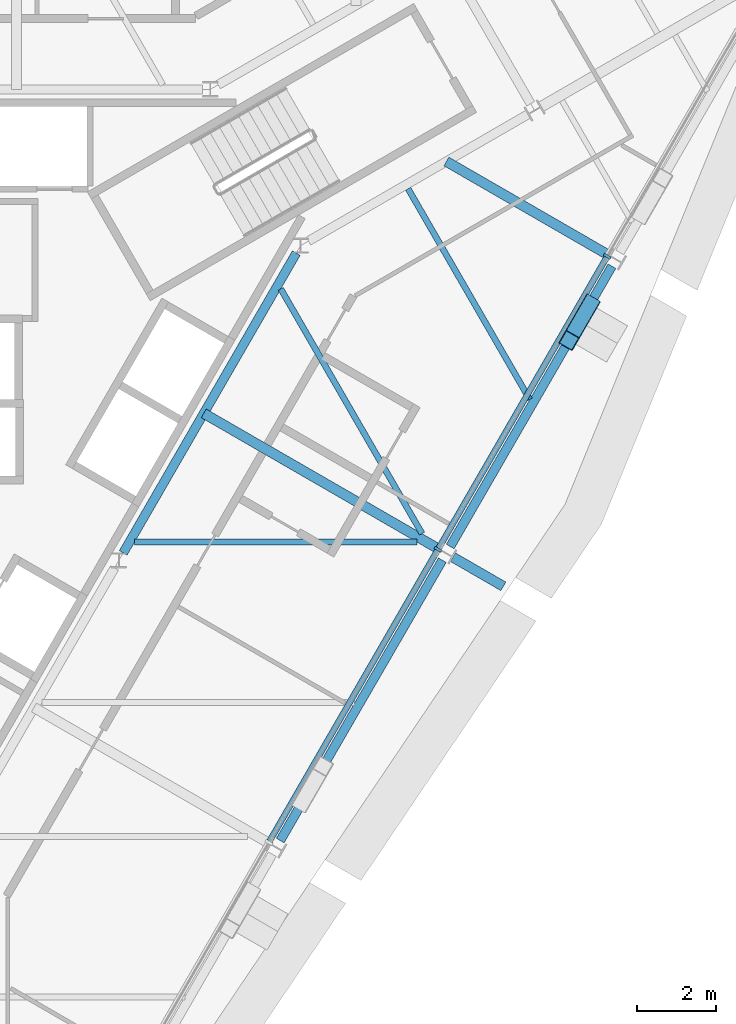
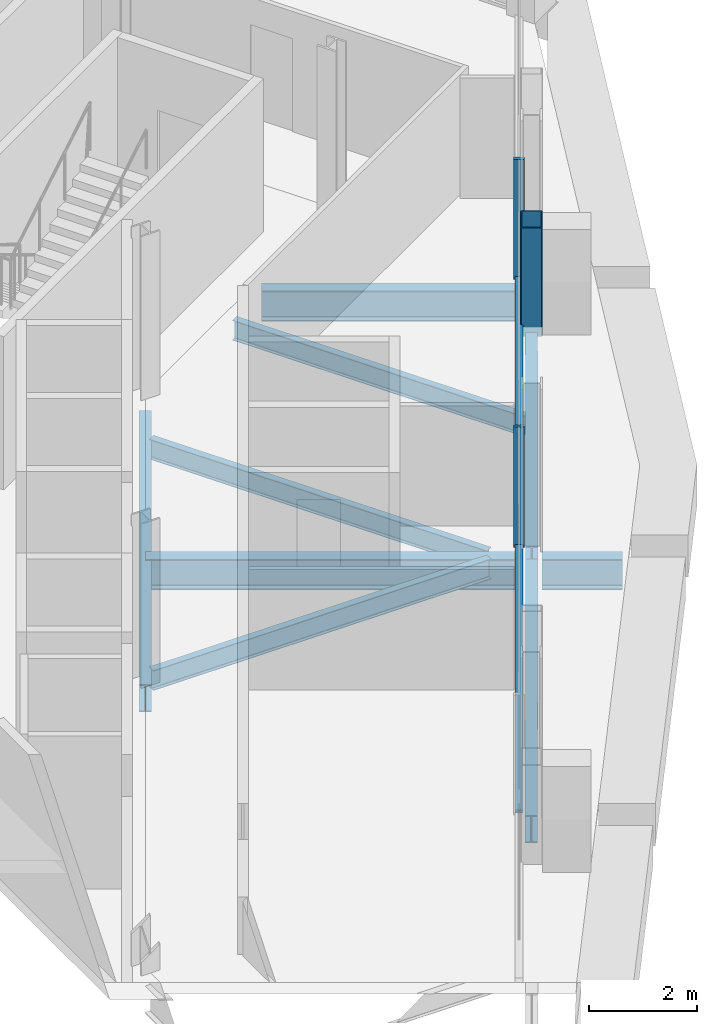
# One storey, part 4 of 13: 9 beams, 5 members, 1 element without a shape of its own.
"""IFC4 building model written with IfcOpenShell, lengths in metres."""

from ifc_helpers import new_model, si_unit, direction, frame, origin, origin_2d, place, context, subcontext, project, spatial, rectangle, hollow_rectangle, i_section, extrude, material, material_profile, profile_set, type_object, element, aggregate, save


model = new_model("IFC4")

# Units and contexts
model_context = context("Model", 3, precision=1e-05, world=origin(), true_north=direction((0.0, 1.0)))
body_context = subcontext(model_context, "Body", "Model", "MODEL_VIEW")
ifc_project = project(units=[si_unit("LENGTHUNIT", "METRE"), si_unit("AREAUNIT", "SQUARE_METRE"), si_unit("VOLUMEUNIT", "CUBIC_METRE"), si_unit("PLANEANGLEUNIT", "RADIAN"), si_unit("MASSUNIT", "GRAM", prefix="KILO")], contexts=[model_context])

# Site, building, storey
site_placement = place(None, origin())
site = spatial("IfcSite", under=ifc_project, at=site_placement, CompositionType="ELEMENT")
building_placement = place(site_placement, origin())
building = spatial("IfcBuilding", under=site, at=building_placement, Name="Verrane Prism Tower", CompositionType="ELEMENT")
storey_placement = place(building_placement, frame((0.0, 0.0, 210.10009765625)))
storey = spatial("IfcBuildingStorey", under=building, at=storey_placement, Name="L52", CompositionType="ELEMENT", Elevation=210.10009765625)

# Beam
ifc_material_1 = material(Name="Steel A992", Category="steel")
ifc_material_profile_1 = material_profile(ifc_material_1, i_section(OverallWidth=0.23046875, OverallDepth=0.6171875, WebThickness=0.01318359375, FlangeThickness=0.022216796875, FilletRadius=0.012939453125, at=origin_2d()), Name="W24x94")
ifc_profile_set_1 = profile_set([ifc_material_profile_1], Name="Steel A992")
beam_type_1 = type_object("IfcBeamType", Name="Core ring girder W24x94", PredefinedType="BEAM", material=ifc_profile_set_1)
beam_1_placement = place(storey_placement, frame((7.04150390625, -3.806884765625, -0.55859375), z_axis=(0.499967007444, 0.866044451208, 0.0), x_axis=(-0.866044451208, 0.499967007444, 0.0)))
element("IfcBeam", 1, at=beam_1_placement, inside=storey, type_object=beam_type_1, Name="Core ring girder L52", PredefinedType="BEAM", context=body_context, shape_type="SweptSolid", body=[
    extrude(i_section(OverallWidth=0.23046875, OverallDepth=0.6171875, WebThickness=0.01318359375, FlangeThickness=0.022216796875, FilletRadius=0.012939453125, at=origin_2d()), origin(), (0.0, 0.0, 1.0), 8.814453125),
])

# Member
ifc_material_2 = material(Name="Steel A500 Grade C", Category="steel")
ifc_material_profile_2 = material_profile(ifc_material_2, hollow_rectangle(XDim=0.406494140625, YDim=0.406494140625, WallThickness=0.01904296875, InnerFilletRadius=0.009521484375, OuterFilletRadius=0.028564453125, at=origin_2d()), Name="HSS16x16x3/4")
ifc_profile_set_2 = profile_set([ifc_material_profile_2], Name="Steel A500 Grade C")
member_type_1 = type_object("IfcMemberType", Name="Facade brace HSS16x16x3/4", PredefinedType="BRACE", material=ifc_profile_set_2)
member_1_placement = place(storey_placement, frame((18.930908203125, 2.527099609375, -0.216796875), z_axis=(-0.158234235212, -0.274301654997, 0.948535992397), x_axis=(0.866208439001, -0.499682839614, 0.0)))
element("IfcMember", 2, at=member_1_placement, inside=storey, type_object=member_type_1, Name="Facade brace SE3 L52", PredefinedType="BRACE", context=body_context, shape_type="SweptSolid", body=[
    extrude(hollow_rectangle(XDim=0.406494140625, YDim=0.406494140625, WallThickness=0.01904296875, InnerFilletRadius=0.009521484375, OuterFilletRadius=0.028564453125, at=origin_2d()), origin(), (0.0, 0.0, 1.0), 3.36962890625),
])

# Beams
ifc_material_3 = material(Name="Steel A992", Category="steel")
ifc_material_profile_3 = material_profile(ifc_material_3, i_section(OverallWidth=0.15234375, OverallDepth=0.449462890625, WebThickness=0.007568359375, FlangeThickness=0.0107421875, FilletRadius=0.01025390625, at=origin_2d()), Name="W18x35")
ifc_profile_set_3 = profile_set([ifc_material_profile_3], Name="Steel A992")
beam_type_2 = type_object("IfcBeamType", Name="Floor beam W18x35", PredefinedType="BEAM", material=ifc_profile_set_3)
beam_2_placement = place(storey_placement, frame((7.32958984375, -3.53662109375, -0.385009765625), z_axis=(1.0, 0.0, 0.0), x_axis=(0.0, 1.0, 0.0)))
element("IfcBeam", 3, at=beam_2_placement, inside=storey, type_object=beam_type_2, Name="Floor beam L52", PredefinedType="BEAM", context=body_context, shape_type="SweptSolid", body=[
    extrude(i_section(OverallWidth=0.15234375, OverallDepth=0.449462890625, WebThickness=0.007568359375, FlangeThickness=0.0107421875, FilletRadius=0.01025390625, at=origin_2d()), origin(), (0.0, 0.0, 1.0), 7.19580078125),
])
beam_3_placement = place(storey_placement, frame((17.3974609375, 0.098876953125, -0.385009765625), z_axis=(-0.499994080864, 0.866028821172, 0.0), x_axis=(-0.866028821172, -0.499994080864, 0.0)))
element("IfcBeam", 4, at=beam_3_placement, inside=storey, type_object=beam_type_2, Name="Floor beam L52", PredefinedType="BEAM", context=body_context, shape_type="SweptSolid", body=[
    extrude(i_section(OverallWidth=0.15234375, OverallDepth=0.449462890625, WebThickness=0.007568359375, FlangeThickness=0.0107421875, FilletRadius=0.01025390625, at=origin_2d()), origin(), (0.0, 0.0, 1.0), 6.1982421875),
])
beam_4_placement = place(storey_placement, frame((14.6533203125, -3.317138671875, -0.385009765625), z_axis=(-0.500002364004, 0.866024038922, 0.0), x_axis=(-0.866024038922, -0.500002364004, 0.0)))
element("IfcBeam", 5, at=beam_4_placement, inside=storey, type_object=beam_type_2, Name="Floor beam L52", PredefinedType="BEAM", context=body_context, shape_type="SweptSolid", body=[
    extrude(i_section(OverallWidth=0.15234375, OverallDepth=0.449462890625, WebThickness=0.007568359375, FlangeThickness=0.0107421875, FilletRadius=0.01025390625, at=origin_2d()), origin(), (0.0, 0.0, 1.0), 7.19775390625),
])

# Curtain wall, members
ifc_material_4 = material(Name="Aluminium framed insulated glazing", Category="aluminium")
curtain_wall_type = type_object("IfcCurtainWallType", Name="Curtain wall CW-A 8400 module", PredefinedType="NOTDEFINED", material=ifc_material_4)
curtain_wall_placement = place(storey_placement, origin())
curtain_wall = element("IfcCurtainWall", 6, at=curtain_wall_placement, inside=storey, type_object=curtain_wall_type, Name="Glazed curtain wall south-east face L52", PredefinedType="NOTDEFINED")
ifc_material_5 = material(Name="Aluminium alloy 6063-T6", Category="aluminium")
ifc_material_profile_4 = material_profile(ifc_material_5, rectangle(XDim=0.199951171875, YDim=0.070068359375, at=origin_2d()), Name="Mullion 70x200 aluminium")
ifc_profile_set_4 = profile_set([ifc_material_profile_4], Name="Aluminium alloy 6063-T6")
member_type_2 = type_object("IfcMemberType", Name="Mullion 70x200 aluminium", PredefinedType="MULLION", material=ifc_profile_set_4)
member_2_placement = place(storey_placement, frame((15.060302734375, -3.71826171875, 0.0), z_axis=(0.0, 0.0, 1.0), x_axis=(-0.866026096662, 0.499998799899, 0.0)))
member_2 = element("IfcMember", 7, at=member_2_placement, type_object=member_type_2, Name="CW51.6 mullion 4", PredefinedType="MULLION", context=body_context, shape_type="SweptSolid", body=[
    extrude(rectangle(XDim=0.199951171875, YDim=0.070068359375, at=origin_2d()), origin(), (0.0, 0.0, 1.0), 2.712890625),
])
member_3_placement = place(storey_placement, frame((19.37060546875, 3.747314453125, 0.0), z_axis=(0.0, 0.0, 1.0), x_axis=(-0.866026096662, 0.499998799899, 0.0)))
member_3 = element("IfcMember", 8, at=member_3_placement, type_object=member_type_2, Name="CW51.6 mullion 5", PredefinedType="MULLION", context=body_context, shape_type="SweptSolid", body=[
    extrude(rectangle(XDim=0.199951171875, YDim=0.070068359375, at=origin_2d()), origin(), (0.0, 0.0, 1.0), 2.712890625),
])

# Beams
ifc_material_6 = material(Name="Steel A992", Category="steel")
ifc_material_profile_5 = material_profile(ifc_material_6, i_section(OverallWidth=0.25390625, OverallDepth=0.683349609375, WebThickness=0.012451171875, FlangeThickness=0.01904296875, FilletRadius=0.01513671875, at=origin_2d()), Name="W27x94")
ifc_profile_set_5 = profile_set([ifc_material_profile_5], Name="Steel A992")
beam_type_3 = type_object("IfcBeamType", Name="Radial girder W27x94", PredefinedType="BEAM", material=ifc_profile_set_5)
beam_5_placement = place(storey_placement, frame((15.097412109375, -3.72021484375, -0.561767578125), z_axis=(-0.866039581409, 0.499975442831, 0.0), x_axis=(-0.499975442831, -0.866039581409, 0.0)))
element("IfcBeam", 9, at=beam_5_placement, inside=storey, type_object=beam_type_3, Name="Radial girder L52", PredefinedType="BEAM", context=body_context, shape_type="SweptSolid", body=[
    extrude(i_section(OverallWidth=0.25390625, OverallDepth=0.683349609375, WebThickness=0.012451171875, FlangeThickness=0.01904296875, FilletRadius=0.01513671875, at=origin_2d()), origin(), (0.0, 0.0, 1.0), 6.933349609375),
])
beam_6_placement = place(storey_placement, frame((19.417236328125, 3.769775390625, -0.561767578125), z_axis=(-0.866040325021, 0.49997415477, 0.0), x_axis=(-0.49997415477, -0.866040325021, 0.0)))
element("IfcBeam", 10, at=beam_6_placement, inside=storey, type_object=beam_type_3, Name="Radial girder L52", PredefinedType="BEAM", context=body_context, shape_type="SweptSolid", body=[
    extrude(i_section(OverallWidth=0.25390625, OverallDepth=0.683349609375, WebThickness=0.012451171875, FlangeThickness=0.01904296875, FilletRadius=0.01513671875, at=origin_2d()), origin(), (0.0, 0.0, 1.0), 4.785888671875),
])
beam_7_placement = place(storey_placement, frame((15.439208984375, -3.917724609375, -0.561767578125), z_axis=(0.866067759775, -0.499926630096, 0.0), x_axis=(0.499926630096, 0.866067759775, 0.0)))
element("IfcBeam", 11, at=beam_7_placement, inside=storey, type_object=beam_type_3, Name="Cantilever girder L52", PredefinedType="BEAM", context=body_context, shape_type="SweptSolid", body=[
    extrude(i_section(OverallWidth=0.25390625, OverallDepth=0.683349609375, WebThickness=0.012451171875, FlangeThickness=0.01904296875, FilletRadius=0.01513671875, at=origin_2d()), origin(), (0.0, 0.0, 1.0), 1.483642578125),
])
ifc_material_7 = material(Name="Steel A992", Category="steel")
ifc_material_profile_6 = material_profile(ifc_material_7, i_section(OverallWidth=0.23046875, OverallDepth=0.6171875, WebThickness=0.01318359375, FlangeThickness=0.022216796875, FilletRadius=0.012939453125, at=origin_2d()), Name="W24x94")
ifc_profile_set_6 = profile_set([ifc_material_profile_6], Name="Steel A992")
beam_type_4 = type_object("IfcBeamType", Name="Spandrel beam W24x94", PredefinedType="SPANDREL", material=ifc_profile_set_6)
beam_8_placement = place(storey_placement, frame((11.040283203125, -11.13623046875, -0.46875), z_axis=(0.500511266251, 0.865730022788, 0.0), x_axis=(-0.865730022788, 0.500511266251, 0.0)))
element("IfcBeam", 12, at=beam_8_placement, inside=storey, type_object=beam_type_4, Name="Spandrel beam L52", PredefinedType="SPANDREL", context=body_context, shape_type="SweptSolid", body=[
    extrude(i_section(OverallWidth=0.23046875, OverallDepth=0.6171875, WebThickness=0.01318359375, FlangeThickness=0.022216796875, FilletRadius=0.012939453125, at=origin_2d()), origin(), (0.0, 0.0, 1.0), 8.250244140625),
])
beam_9_placement = place(storey_placement, frame((15.370361328125, -3.646240234375, -0.46875), z_axis=(0.499613933384, 0.866248184742, 0.0), x_axis=(-0.866248184742, 0.499613933384, 0.0)))
element("IfcBeam", 13, at=beam_9_placement, inside=storey, type_object=beam_type_4, Name="Spandrel beam L52", PredefinedType="SPANDREL", context=body_context, shape_type="SweptSolid", body=[
    extrude(i_section(OverallWidth=0.23046875, OverallDepth=0.6171875, WebThickness=0.01318359375, FlangeThickness=0.022216796875, FilletRadius=0.012939453125, at=origin_2d()), origin(), (0.0, 0.0, 1.0), 8.2451171875),
])

# Member
ifc_material_8 = material(Name="Aluminium alloy 6063-T6", Category="aluminium")
ifc_material_profile_7 = material_profile(ifc_material_8, rectangle(XDim=0.14990234375, YDim=0.070068359375, at=origin_2d()), Name="Transom 70x150 aluminium")
ifc_profile_set_7 = profile_set([ifc_material_profile_7], Name="Aluminium alloy 6063-T6")
member_type_3 = type_object("IfcMemberType", Name="Transom 70x150 aluminium", PredefinedType="USERDEFINED", material=ifc_profile_set_7)
member_4_placement = place(storey_placement, frame((10.767822265625, -11.1533203125, 0.034912109375), z_axis=(0.499999279071, 0.866025820012, 0.0), x_axis=(-0.866025820012, 0.499999279071, 0.0)))
member_4 = element("IfcMember", 14, at=member_4_placement, type_object=member_type_3, Name="CW51.6 transom 3", ObjectType="TRANSOM", PredefinedType="USERDEFINED", context=body_context, shape_type="SweptSolid", body=[
    extrude(rectangle(XDim=0.14990234375, YDim=0.070068359375, at=origin_2d()), origin(), (0.0, 0.0, 1.0), 8.55029296875),
])

member_5_placement = place(storey_placement, frame((15.077880859375, -3.68798828125, 0.034912109375), z_axis=(0.499986915336, 0.866032958087, 0.0), x_axis=(-0.866032958087, 0.499986915336, 0.0)))
member_5 = element("IfcMember", 15, at=member_5_placement, type_object=member_type_3, Name="CW51.6 transom 4", ObjectType="TRANSOM", PredefinedType="USERDEFINED", context=body_context, shape_type="SweptSolid", body=[
    extrude(rectangle(XDim=0.14990234375, YDim=0.070068359375, at=origin_2d()), origin(), (0.0, 0.0, 1.0), 8.550537109375),
])

aggregate(curtain_wall, [member_2, member_3, member_4, member_5])

save(model, "model.ifc")
